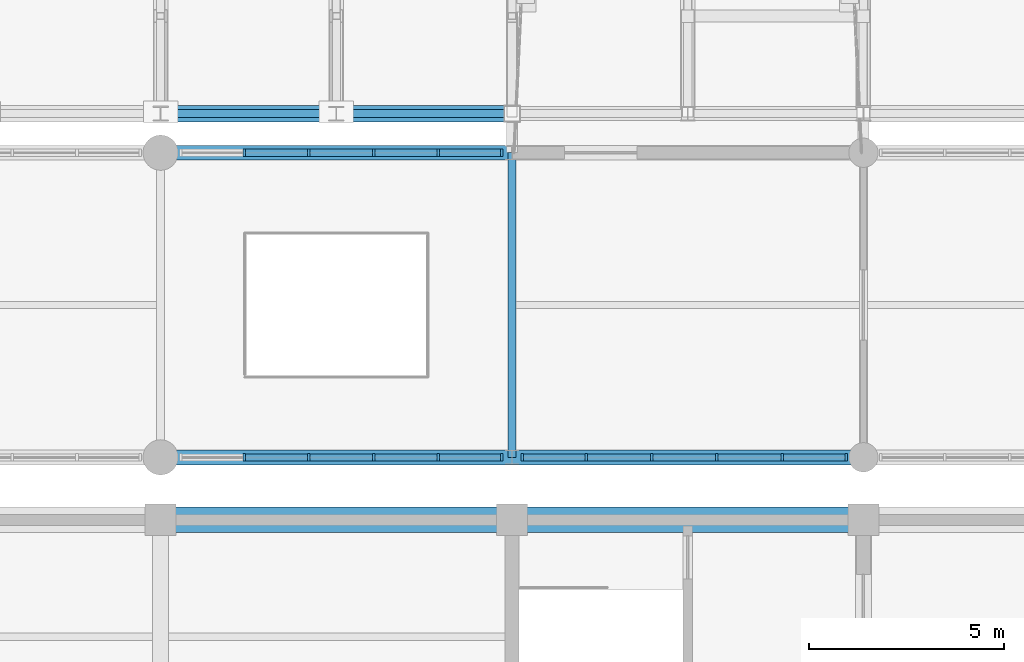
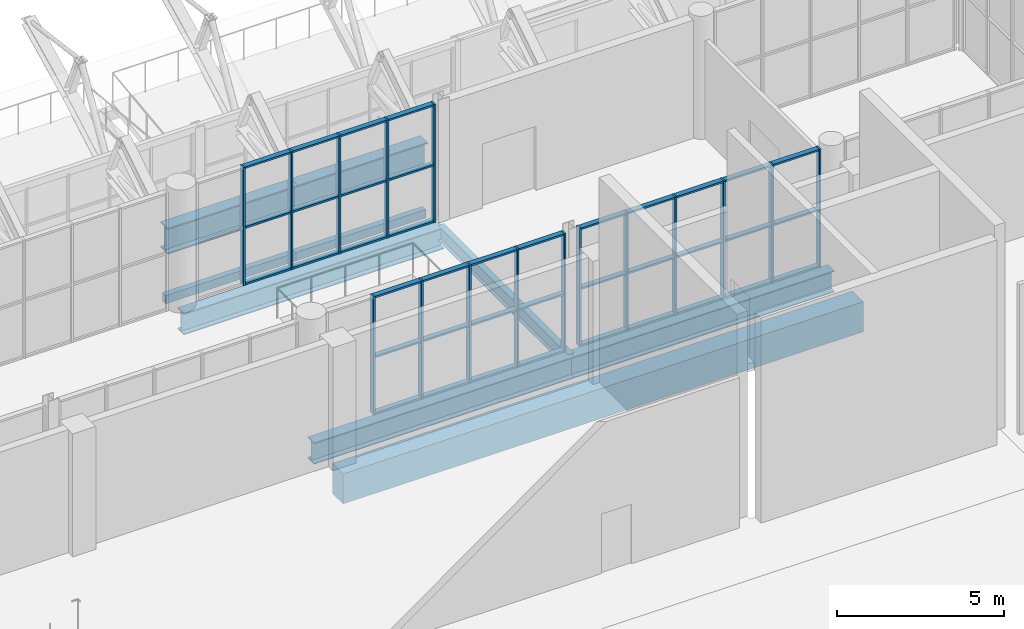
# One storey, part 74 of 134: 55 members, 9 beams, 3 elements without a shape of their own.
"""IFC4 building model written with IfcOpenShell, lengths in metres."""

from ifc_helpers import new_model, si_unit, direction, frame, origin, origin_2d, place, context, subcontext, project, spatial, rectangle, hollow_rectangle, i_section, extrude, material, layer, layer_set, material_profile, profile_set, type_object, element, aggregate, save


model = new_model("IFC4")

# Units and contexts
model_context = context("Model", 3, precision=1e-05, world=origin(), true_north=direction((0.0, 1.0)))
body_context = subcontext(model_context, "Body", "Model", "MODEL_VIEW")
ifc_project = project(units=[si_unit("LENGTHUNIT", "METRE"), si_unit("AREAUNIT", "SQUARE_METRE"), si_unit("VOLUMEUNIT", "CUBIC_METRE"), si_unit("PLANEANGLEUNIT", "RADIAN"), si_unit("MASSUNIT", "GRAM", prefix="KILO")], contexts=[model_context])

# Site, building, storey
site_placement = place(None, origin())
site = spatial("IfcSite", under=ifc_project, at=site_placement, CompositionType="ELEMENT")
building_placement = place(site_placement, origin())
building = spatial("IfcBuilding", under=site, at=building_placement, Name="Cazmaro Siding Exhibition Halls", CompositionType="ELEMENT")
storey_placement = place(building_placement, frame((0.0, 0.0, 12.0)))
storey = spatial("IfcBuildingStorey", under=building, at=storey_placement, Name="L02", CompositionType="ELEMENT", Elevation=12.0)

# Beam
ifc_material_1 = material(Name="Steel ASTM A992 Grade 50", Category="steel")
ifc_material_profile_1 = material_profile(ifc_material_1, i_section(OverallWidth=0.2099609375, OverallDepth=0.535888671875, WebThickness=0.010986328125, FlangeThickness=0.01708984375, at=origin_2d()), Name="W21X68")
ifc_profile_set_1 = profile_set([ifc_material_profile_1], Name="Steel ASTM A992 Grade 50")
beam_type_1 = type_object("IfcBeamType", Name="B-02", PredefinedType="BEAM", material=ifc_profile_set_1)
beam_1_placement = place(storey_placement, frame((135.0, 55.199951171875, -0.488037109375), z_axis=(0.0, 1.0, 0.0), x_axis=(-1.0, 0.0, 0.0)))
element("IfcBeam", 1, at=beam_1_placement, inside=storey, type_object=beam_type_1, Name="Beam B-02 BM-1718", PredefinedType="BEAM", context=body_context, shape_type="SweptSolid", body=[
    extrude(i_section(OverallWidth=0.2099609375, OverallDepth=0.535888671875, WebThickness=0.010986328125, FlangeThickness=0.01708984375, at=origin_2d()), origin(), (0.0, 0.0, 1.0), 7.800048828125),
])

# Curtain wall, members
ifc_material_2 = material(Name="Anodized Bronze Aluminum and Solar-Control Low-E Glazing", Category="aluminium")
ifc_layer = layer(ifc_material_2, 0.199951171875)
ifc_layer_set = layer_set([ifc_layer], Name="Anodized Bronze Aluminum and Solar-Control Low-E Glazing")
curtain_wall_type = type_object("IfcCurtainWallType", Name="CWS-02", PredefinedType="USERDEFINED", material=ifc_layer_set)
curtain_wall_1_placement = place(storey_placement, origin())
curtain_wall_1 = element("IfcCurtainWall", 2, at=curtain_wall_1_placement, inside=storey, type_object=curtain_wall_type, Name="Glazed Curtain Wall CWS-02 CW-193", ObjectType="GLAZED CURTAIN WALL", PredefinedType="USERDEFINED")
ifc_material_3 = material(Name="Anodized Bronze Extruded Aluminum", Category="aluminium")
ifc_material_profile_2 = material_profile(ifc_material_3, rectangle(XDim=0.199951171875, YDim=0.06494140625, at=origin_2d()), Name="CWM-02")
ifc_profile_set_2 = profile_set([ifc_material_profile_2], Name="Anodized Bronze Extruded Aluminum")
member_type_1 = type_object("IfcMemberType", Name="CWM-02", PredefinedType="MULLION", material=ifc_profile_set_2)
member_1_placement = place(storey_placement, frame((128.140380859375, 55.199951171875, 0.0), z_axis=(0.0, 0.0, 1.0), x_axis=(0.0, 1.0, 0.0)))
member_1 = element("IfcMember", 3, at=member_1_placement, type_object=member_type_1, Name="CWS-02 mullion 2", PredefinedType="MULLION", context=body_context, shape_type="SweptSolid", body=[
    extrude(rectangle(XDim=0.199951171875, YDim=0.06494140625, at=origin_2d()), origin(), (0.0, 0.0, 1.0), 4.324951171875),
])
member_2_placement = place(storey_placement, frame((129.7978515625, 55.199951171875, 0.0), z_axis=(0.0, 0.0, 1.0), x_axis=(0.0, 1.0, 0.0)))
member_2 = element("IfcMember", 4, at=member_2_placement, type_object=member_type_1, Name="CWS-02 mullion 3", PredefinedType="MULLION", context=body_context, shape_type="SweptSolid", body=[
    extrude(rectangle(XDim=0.199951171875, YDim=0.06494140625, at=origin_2d()), origin(), (0.0, 0.0, 1.0), 4.324951171875),
])
member_3_placement = place(storey_placement, frame((131.455078125, 55.199951171875, 0.0), z_axis=(0.0, 0.0, 1.0), x_axis=(0.0, 1.0, 0.0)))
member_3 = element("IfcMember", 5, at=member_3_placement, type_object=member_type_1, Name="CWS-02 mullion 4", PredefinedType="MULLION", context=body_context, shape_type="SweptSolid", body=[
    extrude(rectangle(XDim=0.199951171875, YDim=0.06494140625, at=origin_2d()), origin(), (0.0, 0.0, 1.0), 4.324951171875),
])
member_4_placement = place(storey_placement, frame((133.112548828125, 55.199951171875, 0.0), z_axis=(0.0, 0.0, 1.0), x_axis=(0.0, 1.0, 0.0)))
member_4 = element("IfcMember", 6, at=member_4_placement, type_object=member_type_1, Name="CWS-02 mullion 5", PredefinedType="MULLION", context=body_context, shape_type="SweptSolid", body=[
    extrude(rectangle(XDim=0.199951171875, YDim=0.06494140625, at=origin_2d()), origin(), (0.0, 0.0, 1.0), 4.324951171875),
])
member_5_placement = place(storey_placement, frame((134.737548828125, 55.199951171875, 0.0), z_axis=(0.0, 0.0, 1.0), x_axis=(0.0, 1.0, 0.0)))
member_5 = element("IfcMember", 7, at=member_5_placement, type_object=member_type_1, Name="CWS-02 mullion 6", PredefinedType="MULLION", context=body_context, shape_type="SweptSolid", body=[
    extrude(rectangle(XDim=0.199951171875, YDim=0.06494140625, at=origin_2d()), origin(), (0.0, 0.0, 1.0), 4.324951171875),
])

curtain_wall_2_placement = place(storey_placement, origin())
curtain_wall_2 = element("IfcCurtainWall", 8, at=curtain_wall_2_placement, inside=storey, type_object=curtain_wall_type, Name="Glazed Curtain Wall CWS-02 CW-195", ObjectType="GLAZED CURTAIN WALL", PredefinedType="USERDEFINED")
member_6_placement = place(storey_placement, frame((134.737548828125, 63.0, 0.0), z_axis=(0.0, 0.0, 1.0), x_axis=(0.0, -1.0, 0.0)))
member_6 = element("IfcMember", 9, at=member_6_placement, type_object=member_type_1, Name="CWS-02 mullion 1", PredefinedType="MULLION", context=body_context, shape_type="SweptSolid", body=[
    extrude(rectangle(XDim=0.199951171875, YDim=0.06494140625, at=origin_2d()), origin(), (0.0, 0.0, 1.0), 4.324951171875),
])
member_7_placement = place(storey_placement, frame((133.112548828125, 63.0, 0.0), z_axis=(0.0, 0.0, 1.0), x_axis=(0.0, -1.0, 0.0)))
member_7 = element("IfcMember", 10, at=member_7_placement, type_object=member_type_1, Name="CWS-02 mullion 2", PredefinedType="MULLION", context=body_context, shape_type="SweptSolid", body=[
    extrude(rectangle(XDim=0.199951171875, YDim=0.06494140625, at=origin_2d()), origin(), (0.0, 0.0, 1.0), 4.324951171875),
])
member_8_placement = place(storey_placement, frame((131.455078125, 63.0, 0.0), z_axis=(0.0, 0.0, 1.0), x_axis=(0.0, -1.0, 0.0)))
member_8 = element("IfcMember", 11, at=member_8_placement, type_object=member_type_1, Name="CWS-02 mullion 3", PredefinedType="MULLION", context=body_context, shape_type="SweptSolid", body=[
    extrude(rectangle(XDim=0.199951171875, YDim=0.06494140625, at=origin_2d()), origin(), (0.0, 0.0, 1.0), 4.324951171875),
])
member_9_placement = place(storey_placement, frame((129.7978515625, 63.0, 0.0), z_axis=(0.0, 0.0, 1.0), x_axis=(0.0, -1.0, 0.0)))
member_9 = element("IfcMember", 12, at=member_9_placement, type_object=member_type_1, Name="CWS-02 mullion 4", PredefinedType="MULLION", context=body_context, shape_type="SweptSolid", body=[
    extrude(rectangle(XDim=0.199951171875, YDim=0.06494140625, at=origin_2d()), origin(), (0.0, 0.0, 1.0), 4.324951171875),
])
member_10_placement = place(storey_placement, frame((128.140380859375, 63.0, 0.0), z_axis=(0.0, 0.0, 1.0), x_axis=(0.0, -1.0, 0.0)))
member_10 = element("IfcMember", 13, at=member_10_placement, type_object=member_type_1, Name="CWS-02 mullion 5", PredefinedType="MULLION", context=body_context, shape_type="SweptSolid", body=[
    extrude(rectangle(XDim=0.199951171875, YDim=0.06494140625, at=origin_2d()), origin(), (0.0, 0.0, 1.0), 4.324951171875),
])

curtain_wall_3_placement = place(storey_placement, origin())
curtain_wall_3 = element("IfcCurtainWall", 14, at=curtain_wall_3_placement, inside=storey, type_object=curtain_wall_type, Name="Glazed Curtain Wall CWS-02 CW-199", ObjectType="GLAZED CURTAIN WALL", PredefinedType="USERDEFINED")
member_11_placement = place(storey_placement, frame((135.262451171875, 55.199951171875, 0.0), z_axis=(0.0, 0.0, 1.0), x_axis=(0.0, 1.0, 0.0)))
member_11 = element("IfcMember", 15, at=member_11_placement, type_object=member_type_1, Name="CWS-02 mullion 1", PredefinedType="MULLION", context=body_context, shape_type="SweptSolid", body=[
    extrude(rectangle(XDim=0.199951171875, YDim=0.06494140625, at=origin_2d()), origin(), (0.0, 0.0, 1.0), 4.324951171875),
])
member_12_placement = place(storey_placement, frame((136.90234375, 55.199951171875, 0.0), z_axis=(0.0, 0.0, 1.0), x_axis=(0.0, 1.0, 0.0)))
member_12 = element("IfcMember", 16, at=member_12_placement, type_object=member_type_1, Name="CWS-02 mullion 2", PredefinedType="MULLION", context=body_context, shape_type="SweptSolid", body=[
    extrude(rectangle(XDim=0.199951171875, YDim=0.06494140625, at=origin_2d()), origin(), (0.0, 0.0, 1.0), 4.324951171875),
])
member_13_placement = place(storey_placement, frame((138.57470703125, 55.199951171875, 0.0), z_axis=(0.0, 0.0, 1.0), x_axis=(0.0, 1.0, 0.0)))
member_13 = element("IfcMember", 17, at=member_13_placement, type_object=member_type_1, Name="CWS-02 mullion 3", PredefinedType="MULLION", context=body_context, shape_type="SweptSolid", body=[
    extrude(rectangle(XDim=0.199951171875, YDim=0.06494140625, at=origin_2d()), origin(), (0.0, 0.0, 1.0), 4.324951171875),
])
member_14_placement = place(storey_placement, frame((140.247314453125, 55.199951171875, 0.0), z_axis=(0.0, 0.0, 1.0), x_axis=(0.0, 1.0, 0.0)))
member_14 = element("IfcMember", 18, at=member_14_placement, type_object=member_type_1, Name="CWS-02 mullion 4", PredefinedType="MULLION", context=body_context, shape_type="SweptSolid", body=[
    extrude(rectangle(XDim=0.199951171875, YDim=0.06494140625, at=origin_2d()), origin(), (0.0, 0.0, 1.0), 4.324951171875),
])
member_15_placement = place(storey_placement, frame((141.919677734375, 55.199951171875, 0.0), z_axis=(0.0, 0.0, 1.0), x_axis=(0.0, 1.0, 0.0)))
member_15 = element("IfcMember", 19, at=member_15_placement, type_object=member_type_1, Name="CWS-02 mullion 5", PredefinedType="MULLION", context=body_context, shape_type="SweptSolid", body=[
    extrude(rectangle(XDim=0.199951171875, YDim=0.06494140625, at=origin_2d()), origin(), (0.0, 0.0, 1.0), 4.324951171875),
])
member_16_placement = place(storey_placement, frame((143.5595703125, 55.199951171875, 0.0), z_axis=(0.0, 0.0, 1.0), x_axis=(0.0, 1.0, 0.0)))
member_16 = element("IfcMember", 20, at=member_16_placement, type_object=member_type_1, Name="CWS-02 mullion 6", PredefinedType="MULLION", context=body_context, shape_type="SweptSolid", body=[
    extrude(rectangle(XDim=0.199951171875, YDim=0.06494140625, at=origin_2d()), origin(), (0.0, 0.0, 1.0), 4.324951171875),
])

# Member
ifc_material_4 = material(Name="Anodized Bronze Extruded Aluminum", Category="aluminium")
ifc_material_profile_3 = material_profile(ifc_material_4, rectangle(XDim=0.179931640625, YDim=0.06494140625, at=origin_2d()), Name="CWT-02")
ifc_profile_set_3 = profile_set([ifc_material_profile_3], Name="Anodized Bronze Extruded Aluminum")
member_type_2 = type_object("IfcMemberType", Name="CWT-02", PredefinedType="MULLION", material=ifc_profile_set_3)
member_17_placement = place(storey_placement, frame((128.1728515625, 55.199951171875, 0.032470703125), z_axis=(1.0, 0.0, 0.0), x_axis=(0.0, 1.0, 0.0)))
member_17 = element("IfcMember", 21, at=member_17_placement, type_object=member_type_2, Name="CWS-02 transom 2.1", ObjectType="TRANSOM", PredefinedType="USERDEFINED", context=body_context, shape_type="SweptSolid", body=[
    extrude(rectangle(XDim=0.179931640625, YDim=0.06494140625, at=origin_2d()), origin(), (0.0, 0.0, 1.0), 1.592529296875),
])

member_18_placement = place(storey_placement, frame((128.1728515625, 55.199951171875, 2.10009765625), z_axis=(1.0, 0.0, 0.0), x_axis=(0.0, 1.0, 0.0)))
member_18 = element("IfcMember", 22, at=member_18_placement, type_object=member_type_2, Name="CWS-02 transom 2.2", ObjectType="TRANSOM", PredefinedType="USERDEFINED", context=body_context, shape_type="SweptSolid", body=[
    extrude(rectangle(XDim=0.179931640625, YDim=0.06494140625, at=origin_2d()), origin(), (0.0, 0.0, 1.0), 1.592529296875),
])

member_19_placement = place(storey_placement, frame((128.1728515625, 55.199951171875, 4.29248046875), z_axis=(1.0, 0.0, 0.0), x_axis=(0.0, 1.0, 0.0)))
member_19 = element("IfcMember", 23, at=member_19_placement, type_object=member_type_2, Name="CWS-02 transom 2.3", ObjectType="TRANSOM", PredefinedType="USERDEFINED", context=body_context, shape_type="SweptSolid", body=[
    extrude(rectangle(XDim=0.179931640625, YDim=0.06494140625, at=origin_2d()), origin(), (0.0, 0.0, 1.0), 1.592529296875),
])

member_20_placement = place(storey_placement, frame((129.830322265625, 55.199951171875, 0.032470703125), z_axis=(1.0, 0.0, 0.0), x_axis=(0.0, 1.0, 0.0)))
member_20 = element("IfcMember", 24, at=member_20_placement, type_object=member_type_2, Name="CWS-02 transom 3.1", ObjectType="TRANSOM", PredefinedType="USERDEFINED", context=body_context, shape_type="SweptSolid", body=[
    extrude(rectangle(XDim=0.179931640625, YDim=0.06494140625, at=origin_2d()), origin(), (0.0, 0.0, 1.0), 1.59228515625),
])

member_21_placement = place(storey_placement, frame((129.830322265625, 55.199951171875, 2.10009765625), z_axis=(1.0, 0.0, 0.0), x_axis=(0.0, 1.0, 0.0)))
member_21 = element("IfcMember", 25, at=member_21_placement, type_object=member_type_2, Name="CWS-02 transom 3.2", ObjectType="TRANSOM", PredefinedType="USERDEFINED", context=body_context, shape_type="SweptSolid", body=[
    extrude(rectangle(XDim=0.179931640625, YDim=0.06494140625, at=origin_2d()), origin(), (0.0, 0.0, 1.0), 1.59228515625),
])

member_22_placement = place(storey_placement, frame((129.830322265625, 55.199951171875, 4.29248046875), z_axis=(1.0, 0.0, 0.0), x_axis=(0.0, 1.0, 0.0)))
member_22 = element("IfcMember", 26, at=member_22_placement, type_object=member_type_2, Name="CWS-02 transom 3.3", ObjectType="TRANSOM", PredefinedType="USERDEFINED", context=body_context, shape_type="SweptSolid", body=[
    extrude(rectangle(XDim=0.179931640625, YDim=0.06494140625, at=origin_2d()), origin(), (0.0, 0.0, 1.0), 1.59228515625),
])

member_23_placement = place(storey_placement, frame((131.48779296875, 55.199951171875, 0.032470703125), z_axis=(1.0, 0.0, 0.0), x_axis=(0.0, 1.0, 0.0)))
member_23 = element("IfcMember", 27, at=member_23_placement, type_object=member_type_2, Name="CWS-02 transom 4.1", ObjectType="TRANSOM", PredefinedType="USERDEFINED", context=body_context, shape_type="SweptSolid", body=[
    extrude(rectangle(XDim=0.179931640625, YDim=0.06494140625, at=origin_2d()), origin(), (0.0, 0.0, 1.0), 1.59228515625),
])

member_24_placement = place(storey_placement, frame((131.48779296875, 55.199951171875, 2.10009765625), z_axis=(1.0, 0.0, 0.0), x_axis=(0.0, 1.0, 0.0)))
member_24 = element("IfcMember", 28, at=member_24_placement, type_object=member_type_2, Name="CWS-02 transom 4.2", ObjectType="TRANSOM", PredefinedType="USERDEFINED", context=body_context, shape_type="SweptSolid", body=[
    extrude(rectangle(XDim=0.179931640625, YDim=0.06494140625, at=origin_2d()), origin(), (0.0, 0.0, 1.0), 1.59228515625),
])

member_25_placement = place(storey_placement, frame((131.48779296875, 55.199951171875, 4.29248046875), z_axis=(1.0, 0.0, 0.0), x_axis=(0.0, 1.0, 0.0)))
member_25 = element("IfcMember", 29, at=member_25_placement, type_object=member_type_2, Name="CWS-02 transom 4.3", ObjectType="TRANSOM", PredefinedType="USERDEFINED", context=body_context, shape_type="SweptSolid", body=[
    extrude(rectangle(XDim=0.179931640625, YDim=0.06494140625, at=origin_2d()), origin(), (0.0, 0.0, 1.0), 1.59228515625),
])

member_26_placement = place(storey_placement, frame((133.14501953125, 55.199951171875, 0.032470703125), z_axis=(1.0, 0.0, 0.0), x_axis=(0.0, 1.0, 0.0)))
member_26 = element("IfcMember", 30, at=member_26_placement, type_object=member_type_2, Name="CWS-02 transom 5.1", ObjectType="TRANSOM", PredefinedType="USERDEFINED", context=body_context, shape_type="SweptSolid", body=[
    extrude(rectangle(XDim=0.179931640625, YDim=0.06494140625, at=origin_2d()), origin(), (0.0, 0.0, 1.0), 1.56005859375),
])

member_27_placement = place(storey_placement, frame((133.14501953125, 55.199951171875, 2.10009765625), z_axis=(1.0, 0.0, 0.0), x_axis=(0.0, 1.0, 0.0)))
member_27 = element("IfcMember", 31, at=member_27_placement, type_object=member_type_2, Name="CWS-02 transom 5.2", ObjectType="TRANSOM", PredefinedType="USERDEFINED", context=body_context, shape_type="SweptSolid", body=[
    extrude(rectangle(XDim=0.179931640625, YDim=0.06494140625, at=origin_2d()), origin(), (0.0, 0.0, 1.0), 1.56005859375),
])

member_28_placement = place(storey_placement, frame((133.14501953125, 55.199951171875, 4.29248046875), z_axis=(1.0, 0.0, 0.0), x_axis=(0.0, 1.0, 0.0)))
member_28 = element("IfcMember", 32, at=member_28_placement, type_object=member_type_2, Name="CWS-02 transom 5.3", ObjectType="TRANSOM", PredefinedType="USERDEFINED", context=body_context, shape_type="SweptSolid", body=[
    extrude(rectangle(XDim=0.179931640625, YDim=0.06494140625, at=origin_2d()), origin(), (0.0, 0.0, 1.0), 1.56005859375),
])

aggregate(curtain_wall_1, [member_1, member_2, member_3, member_4, member_5, member_17, member_18, member_19, member_20, member_21, member_22, member_23, member_24, member_25, member_26, member_27, member_28])

member_29_placement = place(storey_placement, frame((134.705078125, 63.0, 0.032470703125), z_axis=(-1.0, 0.0, 0.0), x_axis=(0.0, -1.0, 0.0)))
member_29 = element("IfcMember", 33, at=member_29_placement, type_object=member_type_2, Name="CWS-02 transom 1.1", ObjectType="TRANSOM", PredefinedType="USERDEFINED", context=body_context, shape_type="SweptSolid", body=[
    extrude(rectangle(XDim=0.179931640625, YDim=0.06494140625, at=origin_2d()), origin(), (0.0, 0.0, 1.0), 1.56005859375),
])

member_30_placement = place(storey_placement, frame((134.705078125, 63.0, 2.10009765625), z_axis=(-1.0, 0.0, 0.0), x_axis=(0.0, -1.0, 0.0)))
member_30 = element("IfcMember", 34, at=member_30_placement, type_object=member_type_2, Name="CWS-02 transom 1.2", ObjectType="TRANSOM", PredefinedType="USERDEFINED", context=body_context, shape_type="SweptSolid", body=[
    extrude(rectangle(XDim=0.179931640625, YDim=0.06494140625, at=origin_2d()), origin(), (0.0, 0.0, 1.0), 1.56005859375),
])

member_31_placement = place(storey_placement, frame((134.705078125, 63.0, 4.29248046875), z_axis=(-1.0, 0.0, 0.0), x_axis=(0.0, -1.0, 0.0)))
member_31 = element("IfcMember", 35, at=member_31_placement, type_object=member_type_2, Name="CWS-02 transom 1.3", ObjectType="TRANSOM", PredefinedType="USERDEFINED", context=body_context, shape_type="SweptSolid", body=[
    extrude(rectangle(XDim=0.179931640625, YDim=0.06494140625, at=origin_2d()), origin(), (0.0, 0.0, 1.0), 1.56005859375),
])

member_32_placement = place(storey_placement, frame((133.080078125, 63.0, 0.032470703125), z_axis=(-1.0, 0.0, 0.0), x_axis=(0.0, -1.0, 0.0)))
member_32 = element("IfcMember", 36, at=member_32_placement, type_object=member_type_2, Name="CWS-02 transom 2.1", ObjectType="TRANSOM", PredefinedType="USERDEFINED", context=body_context, shape_type="SweptSolid", body=[
    extrude(rectangle(XDim=0.179931640625, YDim=0.06494140625, at=origin_2d()), origin(), (0.0, 0.0, 1.0), 1.59228515625),
])

member_33_placement = place(storey_placement, frame((133.080078125, 63.0, 2.10009765625), z_axis=(-1.0, 0.0, 0.0), x_axis=(0.0, -1.0, 0.0)))
member_33 = element("IfcMember", 37, at=member_33_placement, type_object=member_type_2, Name="CWS-02 transom 2.2", ObjectType="TRANSOM", PredefinedType="USERDEFINED", context=body_context, shape_type="SweptSolid", body=[
    extrude(rectangle(XDim=0.179931640625, YDim=0.06494140625, at=origin_2d()), origin(), (0.0, 0.0, 1.0), 1.59228515625),
])

member_34_placement = place(storey_placement, frame((133.080078125, 63.0, 4.29248046875), z_axis=(-1.0, 0.0, 0.0), x_axis=(0.0, -1.0, 0.0)))
member_34 = element("IfcMember", 38, at=member_34_placement, type_object=member_type_2, Name="CWS-02 transom 2.3", ObjectType="TRANSOM", PredefinedType="USERDEFINED", context=body_context, shape_type="SweptSolid", body=[
    extrude(rectangle(XDim=0.179931640625, YDim=0.06494140625, at=origin_2d()), origin(), (0.0, 0.0, 1.0), 1.59228515625),
])

member_35_placement = place(storey_placement, frame((131.422607421875, 63.0, 0.032470703125), z_axis=(-1.0, 0.0, 0.0), x_axis=(0.0, -1.0, 0.0)))
member_35 = element("IfcMember", 39, at=member_35_placement, type_object=member_type_2, Name="CWS-02 transom 3.1", ObjectType="TRANSOM", PredefinedType="USERDEFINED", context=body_context, shape_type="SweptSolid", body=[
    extrude(rectangle(XDim=0.179931640625, YDim=0.06494140625, at=origin_2d()), origin(), (0.0, 0.0, 1.0), 1.59228515625),
])

member_36_placement = place(storey_placement, frame((131.422607421875, 63.0, 2.10009765625), z_axis=(-1.0, 0.0, 0.0), x_axis=(0.0, -1.0, 0.0)))
member_36 = element("IfcMember", 40, at=member_36_placement, type_object=member_type_2, Name="CWS-02 transom 3.2", ObjectType="TRANSOM", PredefinedType="USERDEFINED", context=body_context, shape_type="SweptSolid", body=[
    extrude(rectangle(XDim=0.179931640625, YDim=0.06494140625, at=origin_2d()), origin(), (0.0, 0.0, 1.0), 1.59228515625),
])

member_37_placement = place(storey_placement, frame((131.422607421875, 63.0, 4.29248046875), z_axis=(-1.0, 0.0, 0.0), x_axis=(0.0, -1.0, 0.0)))
member_37 = element("IfcMember", 41, at=member_37_placement, type_object=member_type_2, Name="CWS-02 transom 3.3", ObjectType="TRANSOM", PredefinedType="USERDEFINED", context=body_context, shape_type="SweptSolid", body=[
    extrude(rectangle(XDim=0.179931640625, YDim=0.06494140625, at=origin_2d()), origin(), (0.0, 0.0, 1.0), 1.59228515625),
])

member_38_placement = place(storey_placement, frame((129.765380859375, 63.0, 0.032470703125), z_axis=(-1.0, 0.0, 0.0), x_axis=(0.0, -1.0, 0.0)))
member_38 = element("IfcMember", 42, at=member_38_placement, type_object=member_type_2, Name="CWS-02 transom 4.1", ObjectType="TRANSOM", PredefinedType="USERDEFINED", context=body_context, shape_type="SweptSolid", body=[
    extrude(rectangle(XDim=0.179931640625, YDim=0.06494140625, at=origin_2d()), origin(), (0.0, 0.0, 1.0), 1.592529296875),
])

member_39_placement = place(storey_placement, frame((129.765380859375, 63.0, 2.10009765625), z_axis=(-1.0, 0.0, 0.0), x_axis=(0.0, -1.0, 0.0)))
member_39 = element("IfcMember", 43, at=member_39_placement, type_object=member_type_2, Name="CWS-02 transom 4.2", ObjectType="TRANSOM", PredefinedType="USERDEFINED", context=body_context, shape_type="SweptSolid", body=[
    extrude(rectangle(XDim=0.179931640625, YDim=0.06494140625, at=origin_2d()), origin(), (0.0, 0.0, 1.0), 1.592529296875),
])

member_40_placement = place(storey_placement, frame((129.765380859375, 63.0, 4.29248046875), z_axis=(-1.0, 0.0, 0.0), x_axis=(0.0, -1.0, 0.0)))
member_40 = element("IfcMember", 44, at=member_40_placement, type_object=member_type_2, Name="CWS-02 transom 4.3", ObjectType="TRANSOM", PredefinedType="USERDEFINED", context=body_context, shape_type="SweptSolid", body=[
    extrude(rectangle(XDim=0.179931640625, YDim=0.06494140625, at=origin_2d()), origin(), (0.0, 0.0, 1.0), 1.592529296875),
])

aggregate(curtain_wall_2, [member_6, member_7, member_8, member_9, member_10, member_29, member_30, member_31, member_32, member_33, member_34, member_35, member_36, member_37, member_38, member_39, member_40])

member_41_placement = place(storey_placement, frame((135.294921875, 55.199951171875, 0.032470703125), z_axis=(1.0, 0.0, 0.0), x_axis=(0.0, 1.0, 0.0)))
member_41 = element("IfcMember", 45, at=member_41_placement, type_object=member_type_2, Name="CWS-02 transom 1.1", ObjectType="TRANSOM", PredefinedType="USERDEFINED", context=body_context, shape_type="SweptSolid", body=[
    extrude(rectangle(XDim=0.179931640625, YDim=0.06494140625, at=origin_2d()), origin(), (0.0, 0.0, 1.0), 1.574951171875),
])

member_42_placement = place(storey_placement, frame((135.294921875, 55.199951171875, 2.10009765625), z_axis=(1.0, 0.0, 0.0), x_axis=(0.0, 1.0, 0.0)))
member_42 = element("IfcMember", 46, at=member_42_placement, type_object=member_type_2, Name="CWS-02 transom 1.2", ObjectType="TRANSOM", PredefinedType="USERDEFINED", context=body_context, shape_type="SweptSolid", body=[
    extrude(rectangle(XDim=0.179931640625, YDim=0.06494140625, at=origin_2d()), origin(), (0.0, 0.0, 1.0), 1.574951171875),
])

member_43_placement = place(storey_placement, frame((135.294921875, 55.199951171875, 4.29248046875), z_axis=(1.0, 0.0, 0.0), x_axis=(0.0, 1.0, 0.0)))
member_43 = element("IfcMember", 47, at=member_43_placement, type_object=member_type_2, Name="CWS-02 transom 1.3", ObjectType="TRANSOM", PredefinedType="USERDEFINED", context=body_context, shape_type="SweptSolid", body=[
    extrude(rectangle(XDim=0.179931640625, YDim=0.06494140625, at=origin_2d()), origin(), (0.0, 0.0, 1.0), 1.574951171875),
])

member_44_placement = place(storey_placement, frame((136.934814453125, 55.199951171875, 0.032470703125), z_axis=(1.0, 0.0, 0.0), x_axis=(0.0, 1.0, 0.0)))
member_44 = element("IfcMember", 48, at=member_44_placement, type_object=member_type_2, Name="CWS-02 transom 2.1", ObjectType="TRANSOM", PredefinedType="USERDEFINED", context=body_context, shape_type="SweptSolid", body=[
    extrude(rectangle(XDim=0.179931640625, YDim=0.06494140625, at=origin_2d()), origin(), (0.0, 0.0, 1.0), 1.607421875),
])

member_45_placement = place(storey_placement, frame((136.934814453125, 55.199951171875, 2.10009765625), z_axis=(1.0, 0.0, 0.0), x_axis=(0.0, 1.0, 0.0)))
member_45 = element("IfcMember", 49, at=member_45_placement, type_object=member_type_2, Name="CWS-02 transom 2.2", ObjectType="TRANSOM", PredefinedType="USERDEFINED", context=body_context, shape_type="SweptSolid", body=[
    extrude(rectangle(XDim=0.179931640625, YDim=0.06494140625, at=origin_2d()), origin(), (0.0, 0.0, 1.0), 1.607421875),
])

member_46_placement = place(storey_placement, frame((136.934814453125, 55.199951171875, 4.29248046875), z_axis=(1.0, 0.0, 0.0), x_axis=(0.0, 1.0, 0.0)))
member_46 = element("IfcMember", 50, at=member_46_placement, type_object=member_type_2, Name="CWS-02 transom 2.3", ObjectType="TRANSOM", PredefinedType="USERDEFINED", context=body_context, shape_type="SweptSolid", body=[
    extrude(rectangle(XDim=0.179931640625, YDim=0.06494140625, at=origin_2d()), origin(), (0.0, 0.0, 1.0), 1.607421875),
])

member_47_placement = place(storey_placement, frame((138.607421875, 55.199951171875, 0.032470703125), z_axis=(1.0, 0.0, 0.0), x_axis=(0.0, 1.0, 0.0)))
member_47 = element("IfcMember", 51, at=member_47_placement, type_object=member_type_2, Name="CWS-02 transom 3.1", ObjectType="TRANSOM", PredefinedType="USERDEFINED", context=body_context, shape_type="SweptSolid", body=[
    extrude(rectangle(XDim=0.179931640625, YDim=0.06494140625, at=origin_2d()), origin(), (0.0, 0.0, 1.0), 1.607177734375),
])

member_48_placement = place(storey_placement, frame((138.607421875, 55.199951171875, 2.10009765625), z_axis=(1.0, 0.0, 0.0), x_axis=(0.0, 1.0, 0.0)))
member_48 = element("IfcMember", 52, at=member_48_placement, type_object=member_type_2, Name="CWS-02 transom 3.2", ObjectType="TRANSOM", PredefinedType="USERDEFINED", context=body_context, shape_type="SweptSolid", body=[
    extrude(rectangle(XDim=0.179931640625, YDim=0.06494140625, at=origin_2d()), origin(), (0.0, 0.0, 1.0), 1.607177734375),
])

member_49_placement = place(storey_placement, frame((138.607421875, 55.199951171875, 4.29248046875), z_axis=(1.0, 0.0, 0.0), x_axis=(0.0, 1.0, 0.0)))
member_49 = element("IfcMember", 53, at=member_49_placement, type_object=member_type_2, Name="CWS-02 transom 3.3", ObjectType="TRANSOM", PredefinedType="USERDEFINED", context=body_context, shape_type="SweptSolid", body=[
    extrude(rectangle(XDim=0.179931640625, YDim=0.06494140625, at=origin_2d()), origin(), (0.0, 0.0, 1.0), 1.607177734375),
])

member_50_placement = place(storey_placement, frame((140.27978515625, 55.199951171875, 0.032470703125), z_axis=(1.0, 0.0, 0.0), x_axis=(0.0, 1.0, 0.0)))
member_50 = element("IfcMember", 54, at=member_50_placement, type_object=member_type_2, Name="CWS-02 transom 4.1", ObjectType="TRANSOM", PredefinedType="USERDEFINED", context=body_context, shape_type="SweptSolid", body=[
    extrude(rectangle(XDim=0.179931640625, YDim=0.06494140625, at=origin_2d()), origin(), (0.0, 0.0, 1.0), 1.607421875),
])

member_51_placement = place(storey_placement, frame((140.27978515625, 55.199951171875, 2.10009765625), z_axis=(1.0, 0.0, 0.0), x_axis=(0.0, 1.0, 0.0)))
member_51 = element("IfcMember", 55, at=member_51_placement, type_object=member_type_2, Name="CWS-02 transom 4.2", ObjectType="TRANSOM", PredefinedType="USERDEFINED", context=body_context, shape_type="SweptSolid", body=[
    extrude(rectangle(XDim=0.179931640625, YDim=0.06494140625, at=origin_2d()), origin(), (0.0, 0.0, 1.0), 1.607421875),
])

member_52_placement = place(storey_placement, frame((140.27978515625, 55.199951171875, 4.29248046875), z_axis=(1.0, 0.0, 0.0), x_axis=(0.0, 1.0, 0.0)))
member_52 = element("IfcMember", 56, at=member_52_placement, type_object=member_type_2, Name="CWS-02 transom 4.3", ObjectType="TRANSOM", PredefinedType="USERDEFINED", context=body_context, shape_type="SweptSolid", body=[
    extrude(rectangle(XDim=0.179931640625, YDim=0.06494140625, at=origin_2d()), origin(), (0.0, 0.0, 1.0), 1.607421875),
])

member_53_placement = place(storey_placement, frame((141.9521484375, 55.199951171875, 0.032470703125), z_axis=(1.0, 0.0, 0.0), x_axis=(0.0, 1.0, 0.0)))
member_53 = element("IfcMember", 57, at=member_53_placement, type_object=member_type_2, Name="CWS-02 transom 5.1", ObjectType="TRANSOM", PredefinedType="USERDEFINED", context=body_context, shape_type="SweptSolid", body=[
    extrude(rectangle(XDim=0.179931640625, YDim=0.06494140625, at=origin_2d()), origin(), (0.0, 0.0, 1.0), 1.574951171875),
])

member_54_placement = place(storey_placement, frame((141.9521484375, 55.199951171875, 2.10009765625), z_axis=(1.0, 0.0, 0.0), x_axis=(0.0, 1.0, 0.0)))
member_54 = element("IfcMember", 58, at=member_54_placement, type_object=member_type_2, Name="CWS-02 transom 5.2", ObjectType="TRANSOM", PredefinedType="USERDEFINED", context=body_context, shape_type="SweptSolid", body=[
    extrude(rectangle(XDim=0.179931640625, YDim=0.06494140625, at=origin_2d()), origin(), (0.0, 0.0, 1.0), 1.574951171875),
])

member_55_placement = place(storey_placement, frame((141.9521484375, 55.199951171875, 4.29248046875), z_axis=(1.0, 0.0, 0.0), x_axis=(0.0, 1.0, 0.0)))
member_55 = element("IfcMember", 59, at=member_55_placement, type_object=member_type_2, Name="CWS-02 transom 5.3", ObjectType="TRANSOM", PredefinedType="USERDEFINED", context=body_context, shape_type="SweptSolid", body=[
    extrude(rectangle(XDim=0.179931640625, YDim=0.06494140625, at=origin_2d()), origin(), (0.0, 0.0, 1.0), 1.574951171875),
])

aggregate(curtain_wall_3, [member_11, member_12, member_13, member_14, member_15, member_16, member_41, member_42, member_43, member_44, member_45, member_46, member_47, member_48, member_49, member_50, member_51, member_52, member_53, member_54, member_55])

# Beams
ifc_material_5 = material(Name="Steel ASTM A992 Grade 50", Category="steel")
ifc_material_profile_4 = material_profile(ifc_material_5, i_section(OverallWidth=0.424072265625, OverallDepth=0.947021484375, WebThickness=0.02392578125, FlangeThickness=0.04296875, at=origin_2d()), Name="W36X302")
ifc_profile_set_4 = profile_set([ifc_material_profile_4], Name="Steel ASTM A992 Grade 50")
beam_type_2 = type_object("IfcBeamType", Name="G-01", PredefinedType="USERDEFINED", material=ifc_profile_set_4)
for number, where, z_axis, x_axis, name in (
    (60, (126.0, 64.0, 1.826904296875), (1.0, 0.0, 0.0), (0.0, 1.0, 0.0), "Beam G-01 BM-0171"),
    (61, (130.5, 64.0, 1.826904296875), (1.0, 0.0, 0.0), (0.0, 1.0, 0.0), "Beam G-01 BM-0177"),
):
    element("IfcBeam", number, at=place(storey_placement, frame(where, z_axis=z_axis, x_axis=x_axis)), inside=storey, type_object=beam_type_2, Name=name, ObjectType="GIRDER", PredefinedType="USERDEFINED", context=body_context, shape_type="SweptSolid", body=[
        extrude(i_section(OverallWidth=0.424072265625, OverallDepth=0.947021484375, WebThickness=0.02392578125, FlangeThickness=0.04296875, at=origin_2d()), origin(), (0.0, 0.0, 1.0), 4.5),
    ])
ifc_material_6 = material(Name="Steel ASTM A992 Grade 50", Category="steel")
ifc_material_profile_5 = material_profile(ifc_material_6, i_section(OverallWidth=0.381103515625, OverallDepth=0.779052734375, WebThickness=0.01806640625, FlangeThickness=0.030029296875, at=origin_2d()), Name="W30X191")
ifc_profile_set_5 = profile_set([ifc_material_profile_5], Name="Steel ASTM A992 Grade 50")
beam_type_3 = type_object("IfcBeamType", Name="G-04", PredefinedType="USERDEFINED", material=ifc_profile_set_5)
for number, where, z_axis, x_axis, name in (
    (62, (126.0, 55.199951171875, -0.610107421875), (1.0, 0.0, 0.0), (0.0, 1.0, 0.0), "Beam G-04 BM-1655"),
    (63, (126.0, 63.0, -0.610107421875), (1.0, 0.0, 0.0), (0.0, 1.0, 0.0), "Beam G-04 BM-1656"),
    (64, (135.0, 55.199951171875, -0.610107421875), (1.0, 0.0, 0.0), (0.0, 1.0, 0.0), "Beam G-04 BM-1663"),
):
    element("IfcBeam", number, at=place(storey_placement, frame(where, z_axis=z_axis, x_axis=x_axis)), inside=storey, type_object=beam_type_3, Name=name, ObjectType="GIRDER", PredefinedType="USERDEFINED", context=body_context, shape_type="SweptSolid", body=[
        extrude(i_section(OverallWidth=0.381103515625, OverallDepth=0.779052734375, WebThickness=0.01806640625, FlangeThickness=0.030029296875, at=origin_2d()), origin(), (0.0, 0.0, 1.0), 9.0),
    ])
ifc_material_7 = material(Name="Concrete f'c 45 MPa", Category="concrete")
ifc_material_profile_6 = material_profile(ifc_material_7, rectangle(XDim=0.64990234375, YDim=1.10009765625, at=origin_2d()), Name="RC1100X650")
ifc_profile_set_6 = profile_set([ifc_material_profile_6], Name="Concrete f'c 45 MPa")
beam_type_4 = type_object("IfcBeamType", Name="G-08", PredefinedType="USERDEFINED", material=ifc_profile_set_6)
beam_2_placement = place(storey_placement, frame((126.0, 53.60009765625, -0.85009765625), z_axis=(1.0, 0.0, 0.0), x_axis=(0.0, 1.0, 0.0)))
element("IfcBeam", 65, at=beam_2_placement, inside=storey, type_object=beam_type_4, Name="Beam G-08 BM-1364", ObjectType="GIRDER", PredefinedType="USERDEFINED", context=body_context, shape_type="SweptSolid", body=[
    extrude(rectangle(XDim=0.64990234375, YDim=1.10009765625, at=origin_2d()), origin(), (0.0, 0.0, 1.0), 18.0),
])
ifc_material_8 = material(Name="Steel ASTM A500 Grade C", Category="steel")
ifc_material_profile_7 = material_profile(ifc_material_8, hollow_rectangle(XDim=0.202880859375, YDim=0.304931640625, WallThickness=0.011962890625, at=origin_2d()), Name="HSS12X8X1/2")
ifc_profile_set_7 = profile_set([ifc_material_profile_7], Name="Steel ASTM A500 Grade C")
beam_type_5 = type_object("IfcBeamType", Name="SP-01", PredefinedType="SPANDREL", material=ifc_profile_set_7)
for number, where, z_axis, x_axis, name in (
    (66, (126.0, 64.0, -0.373046875), (1.0, 0.0, 0.0), (0.0, 1.0, 0.0), "Beam SP-01 BM-0170"),
    (67, (130.5, 64.0, -0.373046875), (1.0, 0.0, 0.0), (0.0, 1.0, 0.0), "Beam SP-01 BM-0176"),
):
    element("IfcBeam", number, at=place(storey_placement, frame(where, z_axis=z_axis, x_axis=x_axis)), inside=storey, type_object=beam_type_5, Name=name, PredefinedType="SPANDREL", context=body_context, shape_type="SweptSolid", body=[
        extrude(hollow_rectangle(XDim=0.202880859375, YDim=0.304931640625, WallThickness=0.011962890625, at=origin_2d()), origin(), (0.0, 0.0, 1.0), 4.5),
    ])

save(model, "model.ifc")
